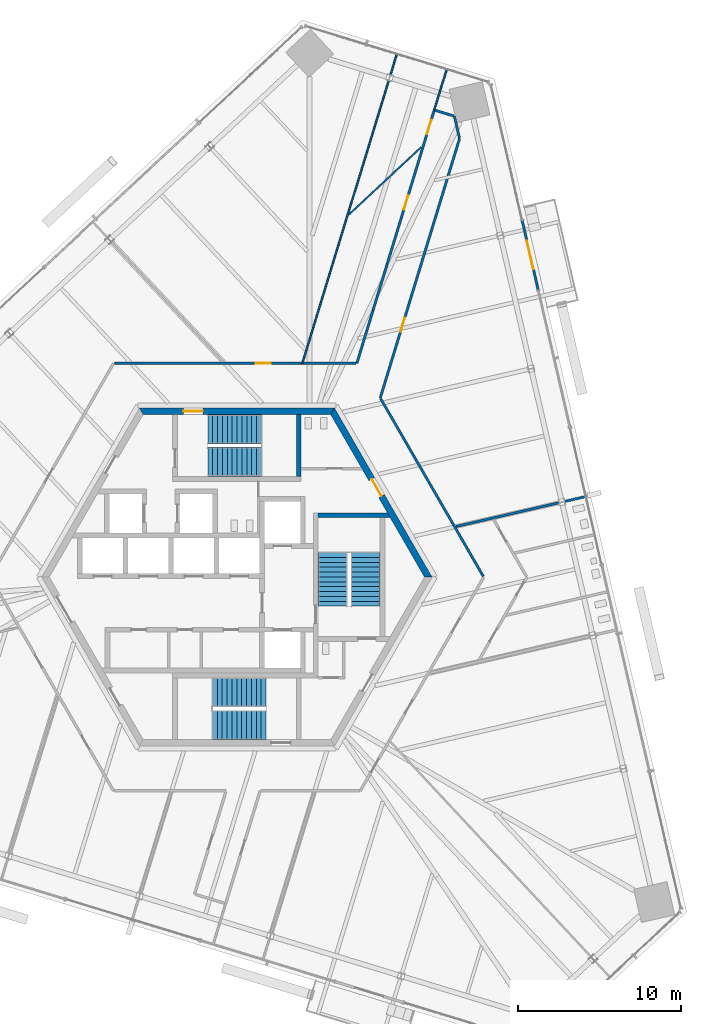
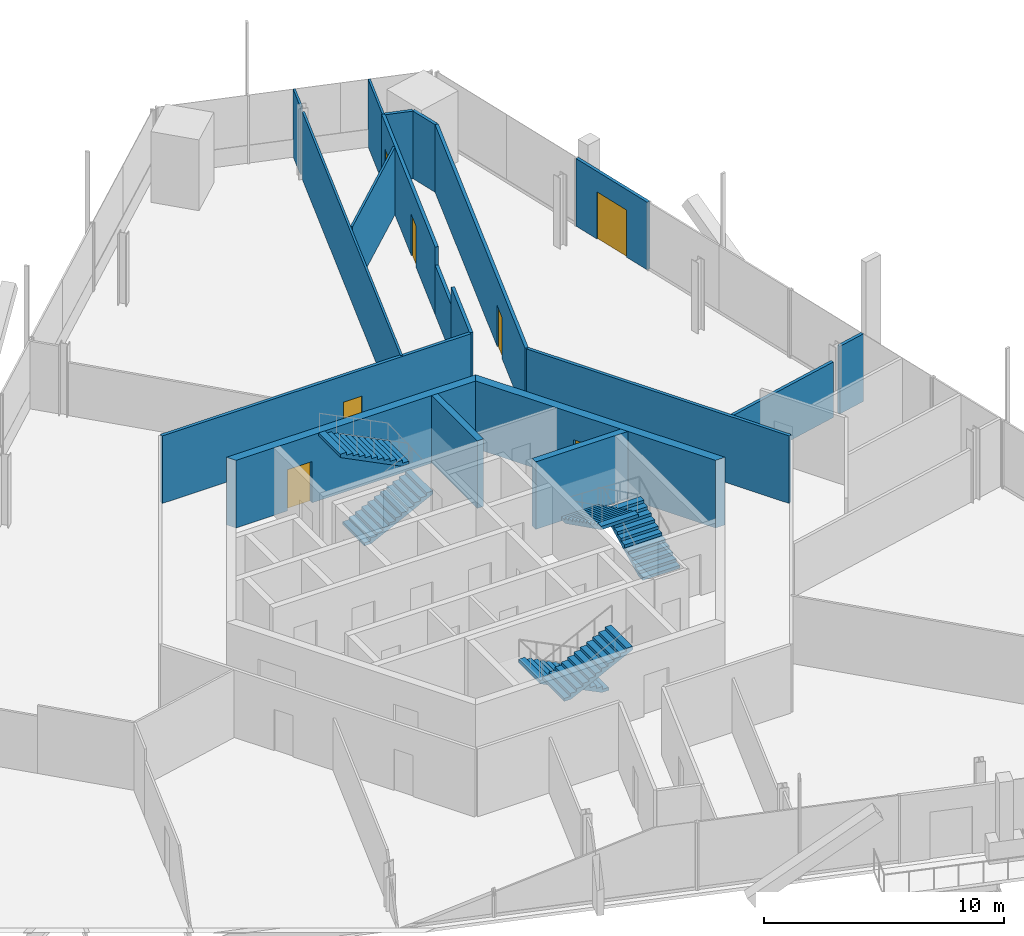
# One storey, part 14 of 21: 19 walls, 7 doors, 6 stair flights, 7 openings, 3 elements without a shape of their own.
"""IFC4 building model written with IfcOpenShell, lengths in metres."""

from ifc_helpers import new_model, si_unit, direction, frame, frame_2d, origin, place, context, subcontext, project, spatial, polyline, rectangle, outline, extrude, source, transform, mapped, material, layer, layer_set, type_object, element, fill, aggregate, save


model = new_model("IFC4")

# Units and contexts
model_context = context("Model", 3, precision=1e-05, world=origin(), true_north=direction((0.0, 1.0)))
body_context = subcontext(model_context, "Body", "Model", "MODEL_VIEW")
ifc_project = project(units=[si_unit("LENGTHUNIT", "METRE"), si_unit("AREAUNIT", "SQUARE_METRE"), si_unit("VOLUMEUNIT", "CUBIC_METRE"), si_unit("PLANEANGLEUNIT", "RADIAN"), si_unit("MASSUNIT", "GRAM", prefix="KILO")], contexts=[model_context])

# Site, building, storey
site_placement = place(None, origin())
site = spatial("IfcSite", under=ifc_project, at=site_placement, CompositionType="ELEMENT")
building_placement = place(site_placement, origin())
building = spatial("IfcBuilding", under=site, at=building_placement, Name="Triune Harvest Tower", CompositionType="ELEMENT")
storey_placement = place(building_placement, frame((0.0, 0.0, 119.89990234375)))
storey = spatial("IfcBuildingStorey", under=building, at=storey_placement, Name="L30", CompositionType="ELEMENT", Elevation=119.89990234375)

# Walls
ifc_material_1 = material(Name="Gypsum board on steel studs", Category="steel")
ifc_layer_1 = layer(ifc_material_1, 0.14990234375)
ifc_layer_set_1 = layer_set([ifc_layer_1], Name="Gypsum board on steel studs")
wall_type_1 = type_object("IfcWallType", Name="Fire Partition 150 mm", PredefinedType="PARTITIONING", material=ifc_layer_set_1)
wall_1_placement = place(storey_placement, frame((13.37255859375, 28.343017578125, 0.0), z_axis=(0.0, 0.0, 1.0), x_axis=(0.224949210991, -0.974370490355, 0.0)))
element("IfcWall", 1, at=wall_1_placement, inside=storey, type_object=wall_type_1, Name="Partition L30 001", PredefinedType="PARTITIONING", context=body_context, shape_type="SweptSolid", body=[
    extrude(rectangle(XDim=1.391357421875, YDim=0.14990234375, at=frame_2d((0.69580078125, 0.0))), origin(), (0.0, 0.0, 1.0), 3.440185546875),
])
wall_2_placement = place(storey_placement, frame((8.833984375, 10.98388671875, 0.0), z_axis=(0.0, 0.0, 1.0), x_axis=(0.499996807431, -0.866027247007, 0.0)))
element("IfcWall", 2, at=wall_2_placement, inside=storey, type_object=wall_type_1, Name="Partition L30 003", PredefinedType="PARTITIONING", context=body_context, shape_type="SweptSolid", body=[
    extrude(rectangle(XDim=12.6328125, YDim=0.14990234375, at=frame_2d((6.31640625, 0.0))), origin(), (0.0, 0.0, 1.0), 3.440185546875),
])
wall_3_placement = place(storey_placement, frame((12.1826171875, 28.706787109375, 0.0), z_axis=(0.0, 0.0, 1.0), x_axis=(0.956259485786, -0.292519735819, 0.0)))
element("IfcWall", 3, at=wall_3_placement, inside=storey, type_object=wall_type_1, Name="Partition L30 012", PredefinedType="PARTITIONING", context=body_context, shape_type="SweptSolid", body=[
    extrude(rectangle(XDim=1.1943359375, YDim=0.14990234375, at=frame_2d((0.59716796875, 0.0))), origin(), (0.0, 0.0, 1.0), 3.440185546875),
])

# Wall, opening, door
wall_4_placement = place(storey_placement, frame((-7.53759765625, 13.142333984375, 0.0), z_axis=(0.0, 0.0, 1.0), x_axis=(1.0, 0.0, 0.0)))
wall_4 = element("IfcWall", 4, at=wall_4_placement, inside=storey, type_object=wall_type_1, Name="Partition L30 015", PredefinedType="PARTITIONING", context=body_context, shape_type="SweptSolid", body=[
    extrude(rectangle(XDim=14.859375, YDim=0.14990234375, at=frame_2d((7.4296875, 0.0))), origin(), (0.0, 0.0, 1.0), 3.440185546875),
])
opening_1_placement = place(wall_4_placement, frame((8.705810546875, 0.0, 0.0)))
opening_1 = element("IfcOpeningElement", 5, at=opening_1_placement, cuts=wall_4, Name="Opening L30-009", PredefinedType="OPENING", context=body_context, shape_type="SweptSolid", body=[
    extrude(rectangle(XDim=0.89990234375, YDim=2.10009765625, at=frame_2d((0.449951171875, 1.050048828125))), frame((0.0, 0.0849609375, 0.0), z_axis=(0.0, -1.0, 0.0), x_axis=(1.0, 0.0, 0.0)), (0.0, 0.0, 1.0), 0.169921875),
])
ifc_material_2 = material(Name="Timber and steel door set", Category="steel")
door_type_1 = type_object("IfcDoorType", Name="Single leaf door FD30 right hand 900 x 2100", OperationType="SINGLE_SWING_RIGHT", PredefinedType="DOOR", material=ifc_material_2)
door_1_placement = place(opening_1_placement, origin())
door_1 = element("IfcDoor", 6, at=door_1_placement, inside=storey, type_object=door_type_1, Name="Door L30-009 Office 30.09", OperationType="SINGLE_SWING_RIGHT", OverallHeight=2.10009765625, OverallWidth=0.89990234375, PredefinedType="DOOR", context=body_context, shape_type="SweptSolid", body=[
    extrude(rectangle(XDim=0.89990234375, YDim=2.10009765625, at=frame_2d((0.449951171875, 1.050048828125))), frame((0.0, 0.02490234375, 0.0), z_axis=(0.0, -1.0, 0.0), x_axis=(1.0, 0.0, 0.0)), (0.0, 0.0, 1.0), 0.050048828125),
])
fill(opening_1, door_1)

# Wall
wall_5_placement = place(storey_placement, frame((20.156005859375, 4.6533203125, 0.0), z_axis=(0.0, 0.0, 1.0), x_axis=(0.974403495758, 0.22480619977, 0.0)))
element("IfcWall", 7, at=wall_5_placement, inside=storey, type_object=wall_type_1, Name="Partition L30 022", PredefinedType="PARTITIONING", context=body_context, shape_type="SweptSolid", body=[
    extrude(rectangle(XDim=1.337890625, YDim=0.14990234375, at=frame_2d((0.6689453125, 0.0))), origin(), (0.0, 0.0, 1.0), 3.440185546875),
])

# Wall, opening, door
wall_6_placement = place(storey_placement, frame((8.81396484375, 11.0185546875, 0.0), z_axis=(0.0, 0.0, 1.0), x_axis=(0.29236134354, 0.956307923633, 0.0)))
wall_6 = element("IfcWall", 8, at=wall_6_placement, inside=storey, type_object=wall_type_1, Name="Partition L30 031", PredefinedType="PARTITIONING", context=body_context, shape_type="SweptSolid", body=[
    extrude(rectangle(XDim=16.677978515625, YDim=0.14990234375, at=frame_2d((8.3388671875, 0.0))), origin(), (0.0, 0.0, 1.0), 3.440185546875),
])
opening_2_placement = place(wall_6_placement, frame((4.25, 0.0, 0.0)))
opening_2 = element("IfcOpeningElement", 9, at=opening_2_placement, cuts=wall_6, Name="Opening L30-007", PredefinedType="OPENING", context=body_context, shape_type="SweptSolid", body=[
    extrude(rectangle(XDim=0.89990234375, YDim=2.10009765625, at=frame_2d((0.449951171875, 1.050048828125))), frame((0.0, 0.0849609375, 0.0), z_axis=(0.0, -1.0, 0.0), x_axis=(1.0, 0.0, 0.0)), (0.0, 0.0, 1.0), 0.169921875),
])
door_2_placement = place(opening_2_placement, origin())
door_2 = element("IfcDoor", 10, at=door_2_placement, inside=storey, type_object=door_type_1, Name="Door L30-007 Open Office 30.07", OperationType="SINGLE_SWING_RIGHT", OverallHeight=2.10009765625, OverallWidth=0.89990234375, PredefinedType="DOOR", context=body_context, shape_type="SweptSolid", body=[
    extrude(rectangle(XDim=0.89990234375, YDim=2.10009765625, at=frame_2d((0.449951171875, 1.050048828125))), frame((0.0, 0.02490234375, 0.0), z_axis=(0.0, -1.0, 0.0), x_axis=(1.0, 0.0, 0.0)), (0.0, 0.0, 1.0), 0.050048828125),
])
fill(opening_2, door_2)

# Wall
wall_7_placement = place(storey_placement, frame((7.37158203125, 13.142333984375, 0.0), z_axis=(0.0, 0.0, 1.0), x_axis=(0.292349861733, 0.956311433762, 0.0)))
element("IfcWall", 11, at=wall_7_placement, inside=storey, type_object=wall_type_1, Name="Partition L30 033", PredefinedType="PARTITIONING", context=body_context, shape_type="SweptSolid", body=[
    extrude(rectangle(XDim=3.400634765625, YDim=0.14990234375, at=frame_2d((1.7001953125, 0.0))), origin(), (0.0, 0.0, 1.0), 3.440185546875),
])

# Wall, openings, doors
wall_8_placement = place(storey_placement, frame((9.23876953125, 19.24951171875, 0.0), z_axis=(0.0, 0.0, 1.0), x_axis=(0.292391372462, 0.956298742711, 0.0)))
wall_8 = element("IfcWall", 12, at=wall_8_placement, inside=storey, type_object=wall_type_1, Name="Partition L30 033b", PredefinedType="PARTITIONING", context=body_context, shape_type="SweptSolid", body=[
    extrude(rectangle(XDim=9.904541015625, YDim=0.14990234375, at=frame_2d((4.9521484375, 0.0))), origin(), (0.0, 0.0, 1.0), 3.440185546875),
])
opening_3_placement = place(wall_8_placement, frame((3.5126953125, 0.0, 0.0)))
opening_3 = element("IfcOpeningElement", 13, at=opening_3_placement, cuts=wall_8, Name="Opening L30-006", PredefinedType="OPENING", context=body_context, shape_type="SweptSolid", body=[
    extrude(rectangle(XDim=0.89990234375, YDim=2.10009765625, at=frame_2d((0.449951171875, 1.050048828125))), frame((0.0, 0.0849609375, 0.0), z_axis=(0.0, -1.0, 0.0), x_axis=(1.0, 0.0, 0.0)), (0.0, 0.0, 1.0), 0.169921875),
])
opening_4_placement = place(wall_8_placement, frame((8.364501953125, 0.0, 0.0)))
opening_4 = element("IfcOpeningElement", 14, at=opening_4_placement, cuts=wall_8, Name="Opening L30-008", PredefinedType="OPENING", context=body_context, shape_type="SweptSolid", body=[
    extrude(rectangle(XDim=0.89990234375, YDim=2.10009765625, at=frame_2d((0.449951171875, 1.050048828125))), frame((0.0, 0.0849609375, 0.0), z_axis=(0.0, -1.0, 0.0), x_axis=(1.0, 0.0, 0.0)), (0.0, 0.0, 1.0), 0.169921875),
])
door_3_placement = place(opening_3_placement, origin())
door_3 = element("IfcDoor", 15, at=door_3_placement, inside=storey, type_object=door_type_1, Name="Door L30-006 Dry Store Room 30.06", OperationType="SINGLE_SWING_RIGHT", OverallHeight=2.10009765625, OverallWidth=0.89990234375, PredefinedType="DOOR", context=body_context, shape_type="SweptSolid", body=[
    extrude(rectangle(XDim=0.89990234375, YDim=2.10009765625, at=frame_2d((0.449951171875, 1.050048828125))), frame((0.0, 0.02490234375, 0.0), z_axis=(0.0, -1.0, 0.0), x_axis=(1.0, 0.0, 0.0)), (0.0, 0.0, 1.0), 0.050048828125),
])
fill(opening_3, door_3)
door_4_placement = place(opening_4_placement, origin())
door_4 = element("IfcDoor", 16, at=door_4_placement, inside=storey, type_object=door_type_1, Name="Door L30-008 Board Room 30.08", OperationType="SINGLE_SWING_RIGHT", OverallHeight=2.10009765625, OverallWidth=0.89990234375, PredefinedType="DOOR", context=body_context, shape_type="SweptSolid", body=[
    extrude(rectangle(XDim=0.89990234375, YDim=2.10009765625, at=frame_2d((0.449951171875, 1.050048828125))), frame((0.0, 0.02490234375, 0.0), z_axis=(0.0, -1.0, 0.0), x_axis=(1.0, 0.0, 0.0)), (0.0, 0.0, 1.0), 0.050048828125),
])
fill(opening_4, door_4)

# Walls
ifc_material_3 = material(Name="Gypsum board on steel studs", Category="steel")
ifc_layer_2 = layer(ifc_material_3, 0.10009765625)
ifc_layer_set_2 = layer_set([ifc_layer_2], Name="Gypsum board on steel studs")
wall_type_2 = type_object("IfcWallType", Name="Partition 100 mm", PredefinedType="PARTITIONING", material=ifc_layer_set_2)
wall_9_placement = place(storey_placement, frame((6.897705078125, 22.30517578125, 0.0), z_axis=(0.0, 0.0, 1.0), x_axis=(0.731373287718, 0.681977355938, 0.0)))
element("IfcWall", 17, at=wall_9_placement, inside=storey, type_object=wall_type_2, Name="Partition L30 023", PredefinedType="PARTITIONING", context=body_context, shape_type="SweptSolid", body=[
    extrude(rectangle(XDim=6.074462890625, YDim=0.10009765625, at=frame_2d((3.037109375, 0.0))), origin(), (0.0, 0.0, 1.0), 3.440185546875),
])
wall_10_placement = place(storey_placement, frame((12.134765625, 28.72119140625, 0.0), z_axis=(0.0, 0.0, 1.0), x_axis=(0.292355904027, 0.956309586578, 0.0)))
element("IfcWall", 18, at=wall_10_placement, inside=storey, type_object=wall_type_2, Name="Partition L30 034", PredefinedType="PARTITIONING", context=body_context, shape_type="SweptSolid", body=[
    extrude(rectangle(XDim=2.618896484375, YDim=0.10009765625, at=frame_2d((1.3095703125, 0.0))), origin(), (0.0, 0.0, 1.0), 3.440185546875),
])

# Wall, opening, door
ifc_material_4 = material(Name="Concrete 70 MPa", Category="concrete")
ifc_layer_3 = layer(ifc_material_4, 0.39990234375)
ifc_layer_set_3 = layer_set([ifc_layer_3], Name="Concrete 70 MPa")
wall_type_3 = type_object("IfcWallType", Name="Core wall 400", PredefinedType="SHEAR", material=ifc_layer_set_3)
shared_shape_1 = source(origin(), body_context, "Body", "SweptSolid", [
    extrude(outline(polyline([(-0.115478515625, -0.199951171875), (11.884521484375, -0.199951171875), (11.653564453125, 0.199951171875), (0.115478515625, 0.199951171875), (-0.115478515625, -0.199951171875)])), origin(), (0.0, 0.0, 1.0), 3.440185546875),
])
wall_11_placement = place(storey_placement, frame((11.76904296875, 0.0, 0.0), z_axis=(0.0, 0.0, 1.0), x_axis=(-0.499996592174, 0.866027371285, 0.0)))
wall_11 = element("IfcWall", 19, at=wall_11_placement, inside=storey, type_object=wall_type_3, Name="Hexagon 0 wall", PredefinedType="SHEAR", context=body_context, shape_type="MappedRepresentation", body=[
    mapped(shared_shape_1, transform((0.0, 0.0, 0.0), scale=1.0)),
])
opening_5_placement = place(wall_11_placement, frame((5.75048828125, 0.0, 0.0)))
opening_5 = element("IfcOpeningElement", 20, at=opening_5_placement, cuts=wall_11, Name="Opening CD-WCP", PredefinedType="OPENING", context=body_context, shape_type="SweptSolid", body=[
    extrude(rectangle(XDim=1.199951171875, YDim=2.10009765625, at=frame_2d((0.60009765625, 1.050048828125))), frame((0.0, 0.2099609375, 0.0), z_axis=(0.0, -1.0, 0.0), x_axis=(1.0, 0.0, 0.0)), (0.0, 0.0, 1.0), 0.419921875),
])
ifc_material_5 = material(Name="Steel S235", Category="steel")
door_type_2 = type_object("IfcDoorType", Name="Lobby door 1200 FD120", OperationType="SINGLE_SWING_LEFT", PredefinedType="DOOR", material=ifc_material_5)
door_5_placement = place(opening_5_placement, frame((1.199951171875, 0.0, 0.0), z_axis=(0.0, 0.0, 1.0), x_axis=(-1.0, 0.0, 0.0)))
door_5 = element("IfcDoor", 21, at=door_5_placement, inside=storey, type_object=door_type_2, Name="Door CD-WCP", OperationType="SINGLE_SWING_RIGHT", OverallHeight=2.10009765625, OverallWidth=1.199951171875, PredefinedType="DOOR", context=body_context, shape_type="SweptSolid", body=[
    extrude(rectangle(XDim=1.199951171875, YDim=2.10009765625, at=frame_2d((0.60009765625, 1.050048828125))), frame((0.0, 0.02490234375, 0.0), z_axis=(0.0, -1.0, 0.0), x_axis=(1.0, 0.0, 0.0)), (0.0, 0.0, 1.0), 0.050048828125),
])
fill(opening_5, door_5)

wall_12_placement = place(storey_placement, frame((5.884521484375, 10.1923828125, 0.0), z_axis=(0.0, 0.0, 1.0), x_axis=(-1.0, 0.0, 0.0)))
wall_12 = element("IfcWall", 22, at=wall_12_placement, inside=storey, type_object=wall_type_3, Name="Hexagon 1 wall", PredefinedType="SHEAR", context=body_context, shape_type="MappedRepresentation", body=[
    mapped(shared_shape_1, transform((0.0, 0.0, 0.0), scale=1.0)),
])
opening_6_placement = place(wall_12_placement, frame((7.984619140625, 0.0, 0.0)))
opening_6 = element("IfcOpeningElement", 23, at=opening_6_placement, cuts=wall_12, Name="Opening CD-S1P", PredefinedType="OPENING", context=body_context, shape_type="SweptSolid", body=[
    extrude(rectangle(XDim=1.199951171875, YDim=2.10009765625, at=frame_2d((0.60009765625, 1.050048828125))), frame((0.0, 0.2099609375, 0.0), z_axis=(0.0, -1.0, 0.0), x_axis=(1.0, 0.0, 0.0)), (0.0, 0.0, 1.0), 0.419921875),
])
ifc_material_6 = material(Name="Steel S235", Category="steel")
door_type_3 = type_object("IfcDoorType", Name="Stair door 1200 FD120", OperationType="SINGLE_SWING_LEFT", PredefinedType="DOOR", material=ifc_material_6)
door_6_placement = place(opening_6_placement, frame((1.199951171875, 0.0, 0.0), z_axis=(0.0, 0.0, 1.0), x_axis=(-1.0, 0.0, 0.0)))
door_6 = element("IfcDoor", 24, at=door_6_placement, inside=storey, type_object=door_type_3, Name="Door CD-S1P", OperationType="SINGLE_SWING_RIGHT", OverallHeight=2.10009765625, OverallWidth=1.199951171875, PredefinedType="DOOR", context=body_context, shape_type="SweptSolid", body=[
    extrude(rectangle(XDim=1.199951171875, YDim=2.10009765625, at=frame_2d((0.60009765625, 1.050048828125))), frame((0.0, 0.02490234375, 0.0), z_axis=(0.0, -1.0, 0.0), x_axis=(1.0, 0.0, 0.0)), (0.0, 0.0, 1.0), 0.050048828125),
])
fill(opening_6, door_6)

# Walls
ifc_material_7 = material(Name="Concrete 70 MPa", Category="concrete")
ifc_layer_4 = layer(ifc_material_7, 0.300048828125)
ifc_layer_set_4 = layer_set([ifc_layer_4], Name="Concrete 70 MPa")
wall_type_4 = type_object("IfcWallType", Name="Core wall 300", PredefinedType="SHEAR", material=ifc_layer_set_4)
shared_shape_2 = source(origin(), body_context, "Body", "SweptSolid", [
    extrude(outline(polyline([(0.0, -0.14990234375), (0.0, 0.14990234375), (4.260009765625, 0.14990234375), (4.43310546875, -0.14990234375), (0.0, -0.14990234375)])), origin(), (0.0, 0.0, 1.0), 3.440185546875),
])
wall_13_placement = place(storey_placement, frame((5.0, 3.800048828125, 0.0), z_axis=(0.0, 0.0, 1.0), x_axis=(1.0, 0.0, 0.0)))
element("IfcWall", 25, at=wall_13_placement, inside=storey, type_object=wall_type_4, Name="Stair e north wall", PredefinedType="SHEAR", context=body_context, shape_type="MappedRepresentation", body=[
    mapped(shared_shape_2, transform((0.0, 0.0, 0.0), scale=1.0)),
])
shared_shape_3 = source(origin(), body_context, "Body", "SweptSolid", [
    extrude(outline(polyline([(0.0, -0.14990234375), (0.0, 0.14990234375), (3.80419921875, 0.14990234375), (3.80419921875, -0.14990234375), (0.0, -0.14990234375)])), origin(), (0.0, 0.0, 1.0), 3.440185546875),
])
wall_14_placement = place(storey_placement, frame((3.800048828125, 6.18994140625, 0.0), z_axis=(0.0, 0.0, 1.0), x_axis=(0.0, 1.0, 0.0)))
element("IfcWall", 26, at=wall_14_placement, inside=storey, type_object=wall_type_4, Name="Stair n east wall", PredefinedType="SHEAR", context=body_context, shape_type="MappedRepresentation", body=[
    mapped(shared_shape_3, transform((0.0, 0.0, 0.0), scale=1.0)),
])

# Wall, opening, door
ifc_material_8 = material(Name="Aluminium bronze anodised", Category="aluminium")
ifc_layer_5 = layer(ifc_material_8, 0.14990234375)
ifc_layer_set_5 = layer_set([ifc_layer_5], Name="Aluminium bronze anodised")
wall_type_5 = type_object("IfcWallType", Name="WW-2 balcony window wall", PredefinedType="ELEMENTEDWALL", material=ifc_layer_set_5)
shared_shape_4 = source(origin(), body_context, "Body", "SweptSolid", [
    extrude(rectangle(XDim=4.353271484375, YDim=0.14990234375, at=frame_2d((2.1767578125, 0.0))), origin(), (0.0, 0.0, 1.0), 3.440185546875),
])
wall_15_placement = place(storey_placement, frame((17.54248046875, 21.92138671875, 0.0), z_axis=(0.0, 0.0, 1.0), x_axis=(0.224998762825, -0.974359049184, 0.0)))
wall_15 = element("IfcWall", 27, at=wall_15_placement, inside=storey, type_object=wall_type_5, Name="WW-2 B3-F1 L30.10", PredefinedType="ELEMENTEDWALL", context=body_context, shape_type="MappedRepresentation", body=[
    mapped(shared_shape_4, transform((0.0, 0.0, 0.0), scale=1.0)),
])
opening_7_placement = place(wall_15_placement, frame((1.276611328125, 0.0, 0.0)))
opening_7 = element("IfcOpeningElement", 28, at=opening_7_placement, cuts=wall_15, Name="Opening L30-E01", PredefinedType="OPENING", context=body_context, shape_type="SweptSolid", body=[
    extrude(rectangle(XDim=1.800048828125, YDim=2.39990234375, at=frame_2d((0.89990234375, 1.199951171875))), frame((0.0, 0.0849609375, 0.0), z_axis=(0.0, -1.0, 0.0), x_axis=(1.0, 0.0, 0.0)), (0.0, 0.0, 1.0), 0.169921875),
])
ifc_material_9 = material(Name="Glass", Category="glass")
door_type_4 = type_object("IfcDoorType", Name="DB-1 balcony door 1800 x 2400", OperationType="DOUBLE_DOOR_SINGLE_SWING", PredefinedType="DOOR", material=ifc_material_9)
door_7_placement = place(opening_7_placement, origin())
door_7 = element("IfcDoor", 29, at=door_7_placement, inside=storey, type_object=door_type_4, Name="Door L30-E01", OperationType="DOUBLE_DOOR_SINGLE_SWING", OverallHeight=2.39990234375, OverallWidth=1.800048828125, PredefinedType="DOOR", context=body_context, shape_type="SweptSolid", body=[
    extrude(rectangle(XDim=1.800048828125, YDim=2.39990234375, at=frame_2d((0.89990234375, 1.199951171875))), frame((0.0, 0.02490234375, 0.0), z_axis=(0.0, -1.0, 0.0), x_axis=(1.0, 0.0, 0.0)), (0.0, 0.0, 1.0), 0.050048828125),
])
fill(opening_7, door_7)

# Walls
shared_shape_5 = source(origin(), body_context, "Body", "SweptSolid", [
    extrude(rectangle(XDim=1.338134765625, YDim=0.10009765625, at=frame_2d((0.6689453125, 0.0))), origin(), (0.0, 0.0, 1.0), 3.440185546875),
])
wall_16_placement = place(storey_placement, frame((9.44189453125, 30.883544921875, 0.0), z_axis=(0.0, 0.0, 1.0), x_axis=(0.292482749649, 0.956270799072, 0.0)))
element("IfcWall", 30, at=wall_16_placement, inside=storey, type_object=wall_type_2, Name="Partition L30 038", PredefinedType="PARTITIONING", context=body_context, shape_type="MappedRepresentation", body=[
    mapped(shared_shape_5, transform((0.0, 0.0, 0.0), scale=1.0)),
])
shared_shape_6 = source(origin(), body_context, "Body", "SweptSolid", [
    extrude(rectangle(XDim=18.19091796875, YDim=0.10009765625, at=frame_2d((9.095458984375, 0.0))), origin(), (0.0, 0.0, 1.0), 3.440185546875),
])
wall_17_placement = place(storey_placement, frame((4.017822265625, 13.142333984375, 0.0), z_axis=(0.0, 0.0, 1.0), x_axis=(0.292377424593, 0.956303007204, 0.0)))
element("IfcWall", 31, at=wall_17_placement, inside=storey, type_object=wall_type_2, Name="Partition L30 037", PredefinedType="PARTITIONING", context=body_context, shape_type="MappedRepresentation", body=[
    mapped(shared_shape_6, transform((0.0, 0.0, 0.0), scale=1.0)),
])
shared_shape_7 = source(origin(), body_context, "Body", "SweptSolid", [
    extrude(rectangle(XDim=6.50244140625, YDim=0.14990234375, at=frame_2d((3.251220703125, 0.0))), origin(), (0.0, 0.0, 1.0), 2.827880859375),
])
wall_18_placement = place(storey_placement, frame((13.468505859375, 3.109375, 0.0), z_axis=(0.0, 0.0, 1.0), x_axis=(0.974372207978, 0.224941770953, 0.0)))
element("IfcWall", 32, at=wall_18_placement, inside=storey, type_object=wall_type_1, Name="Partition L30 021", PredefinedType="PARTITIONING", context=body_context, shape_type="MappedRepresentation", body=[
    mapped(shared_shape_7, transform((0.0, 0.0, 0.0), scale=1.0)),
])
shared_shape_8 = source(origin(), body_context, "Body", "SweptSolid", [
    extrude(rectangle(XDim=2.98583984375, YDim=0.14990234375, at=frame_2d((1.492919921875, 0.0))), origin(), (0.0, 0.0, 1.0), 2.51806640625),
])
wall_19_placement = place(storey_placement, frame((8.36572265625, 16.394287109375, 0.0), z_axis=(0.0, 0.0, 1.0), x_axis=(0.292407574871, 0.956293788623, 0.0)))
element("IfcWall", 33, at=wall_19_placement, inside=storey, type_object=wall_type_1, Name="Partition L30 033a", PredefinedType="PARTITIONING", context=body_context, shape_type="MappedRepresentation", body=[
    mapped(shared_shape_8, transform((0.0, 0.0, 0.0), scale=1.0)),
])

# Stair, stair flights
ifc_material_10 = material(Name="Concrete 40 MPa", Category="concrete")
stair_type = type_object("IfcStairType", Name="Exit stair 1800 half turn", PredefinedType="HALF_TURN_STAIR", material=ifc_material_10)
stair_1_placement = place(storey_placement, origin())
stair_1 = element("IfcStair", 34, at=stair_1_placement, inside=storey, type_object=stair_type, Name="Exit stair north", PredefinedType="HALF_TURN_STAIR")
ifc_material_11 = material(Name="Concrete 40 MPa", Category="concrete")
stair_flight_type = type_object("IfcStairFlightType", Name="Stair flight 1800", PredefinedType="STRAIGHT", material=ifc_material_11)
shared_shape_9 = source(origin(), body_context, "Body", "SweptSolid", [
    extrude(outline(polyline([(0.0, 0.0), (0.0, 0.14990234375), (0.300048828125, 0.14990234375), (0.300048828125, 0.300048828125), (0.60009765625, 0.300048828125), (0.60009765625, 0.449951171875), (0.89990234375, 0.449951171875), (0.89990234375, 0.60009765625), (1.199951171875, 0.60009765625), (1.199951171875, 0.75), (1.5, 0.75), (1.5, 0.89990234375), (1.800048828125, 0.89990234375), (1.800048828125, 1.050048828125), (2.10009765625, 1.050048828125), (2.10009765625, 1.199951171875), (2.39990234375, 1.199951171875), (2.39990234375, 1.35009765625), (2.699951171875, 1.35009765625), (2.699951171875, 1.5), (3.0, 1.5), (3.0, 1.64990234375), (3.300048828125, 1.64990234375), (3.300048828125, 1.800048828125), (3.300048828125, 1.482421875), (0.335205078125, 0.0), (0.0, 0.0)])), frame((0.0, 0.89990234375, 0.0), z_axis=(0.0, -1.0, 0.0), x_axis=(1.0, 0.0, 0.0)), (0.0, 0.0, 1.0), 1.800048828125),
])
stair_flight_1_placement = place(storey_placement, frame((-1.7900390625, 7.090087890625, 0.0), z_axis=(0.0, 0.0, 1.0), x_axis=(1.0, 0.0, 0.0)))
stair_flight_1 = element("IfcStairFlight", 35, at=stair_flight_1_placement, type_object=stair_flight_type, Name="ST-1 flight 1", NumberOfRisers=12, NumberOfTreads=11, PredefinedType="STRAIGHT", RiserHeight=0.15, TreadLength=0.3, context=body_context, shape_type="MappedRepresentation", body=[
    mapped(shared_shape_9, transform((0.0, 0.0, 0.0), scale=1.0)),
])
stair_flight_2_placement = place(storey_placement, frame((1.510009765625, 9.090087890625, 1.800048828125), z_axis=(0.0, 0.0, 1.0), x_axis=(-1.0, 0.0, 0.0)))
stair_flight_2 = element("IfcStairFlight", 36, at=stair_flight_2_placement, type_object=stair_flight_type, Name="ST-1 flight 2", NumberOfRisers=12, NumberOfTreads=11, PredefinedType="STRAIGHT", RiserHeight=0.15, TreadLength=0.3, context=body_context, shape_type="MappedRepresentation", body=[
    mapped(shared_shape_9, transform((0.0, 0.0, 0.0), scale=1.0)),
])
aggregate(stair_1, [stair_flight_1, stair_flight_2])

stair_2_placement = place(storey_placement, origin())
stair_2 = element("IfcStair", 37, at=stair_2_placement, inside=storey, type_object=stair_type, Name="Exit stair south", PredefinedType="HALF_TURN_STAIR")
stair_flight_3_placement = place(storey_placement, frame((1.7900390625, -7.090087890625, 0.0), z_axis=(0.0, 0.0, 1.0), x_axis=(-1.0, 0.0, 0.0)))
stair_flight_3 = element("IfcStairFlight", 38, at=stair_flight_3_placement, type_object=stair_flight_type, Name="ST-2 flight 1", NumberOfRisers=12, NumberOfTreads=11, PredefinedType="STRAIGHT", RiserHeight=0.15, TreadLength=0.3, context=body_context, shape_type="MappedRepresentation", body=[
    mapped(shared_shape_9, transform((0.0, 0.0, 0.0), scale=1.0)),
])
stair_flight_4_placement = place(storey_placement, frame((-1.510009765625, -9.090087890625, 1.800048828125), z_axis=(0.0, 0.0, 1.0), x_axis=(1.0, 0.0, 0.0)))
stair_flight_4 = element("IfcStairFlight", 39, at=stair_flight_4_placement, type_object=stair_flight_type, Name="ST-2 flight 2", NumberOfRisers=12, NumberOfTreads=11, PredefinedType="STRAIGHT", RiserHeight=0.15, TreadLength=0.3, context=body_context, shape_type="MappedRepresentation", body=[
    mapped(shared_shape_9, transform((0.0, 0.0, 0.0), scale=1.0)),
])
aggregate(stair_2, [stair_flight_3, stair_flight_4])

stair_3_placement = place(storey_placement, origin())
stair_3 = element("IfcStair", 40, at=stair_3_placement, inside=storey, type_object=stair_type, Name="Exit stair east", PredefinedType="HALF_TURN_STAIR")
stair_flight_5_placement = place(storey_placement, frame((7.89990234375, -1.7900390625, 0.0), z_axis=(0.0, 0.0, 1.0), x_axis=(0.0, 1.0, 0.0)))
stair_flight_5 = element("IfcStairFlight", 41, at=stair_flight_5_placement, type_object=stair_flight_type, Name="ST-3 flight 1", NumberOfRisers=12, NumberOfTreads=11, PredefinedType="STRAIGHT", RiserHeight=0.15, TreadLength=0.3, context=body_context, shape_type="MappedRepresentation", body=[
    mapped(shared_shape_9, transform((0.0, 0.0, 0.0), scale=1.0)),
])
stair_flight_6_placement = place(storey_placement, frame((5.89990234375, 1.510009765625, 1.800048828125), z_axis=(0.0, 0.0, 1.0), x_axis=(0.0, -1.0, 0.0)))
stair_flight_6 = element("IfcStairFlight", 42, at=stair_flight_6_placement, type_object=stair_flight_type, Name="ST-3 flight 2", NumberOfRisers=12, NumberOfTreads=11, PredefinedType="STRAIGHT", RiserHeight=0.15, TreadLength=0.3, context=body_context, shape_type="MappedRepresentation", body=[
    mapped(shared_shape_9, transform((0.0, 0.0, 0.0), scale=1.0)),
])
aggregate(stair_3, [stair_flight_5, stair_flight_6])

save(model, "model.ifc")
